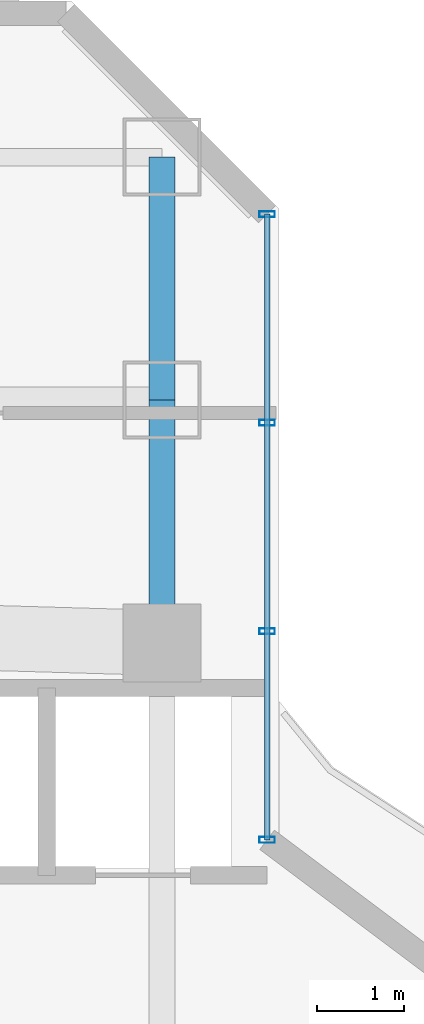
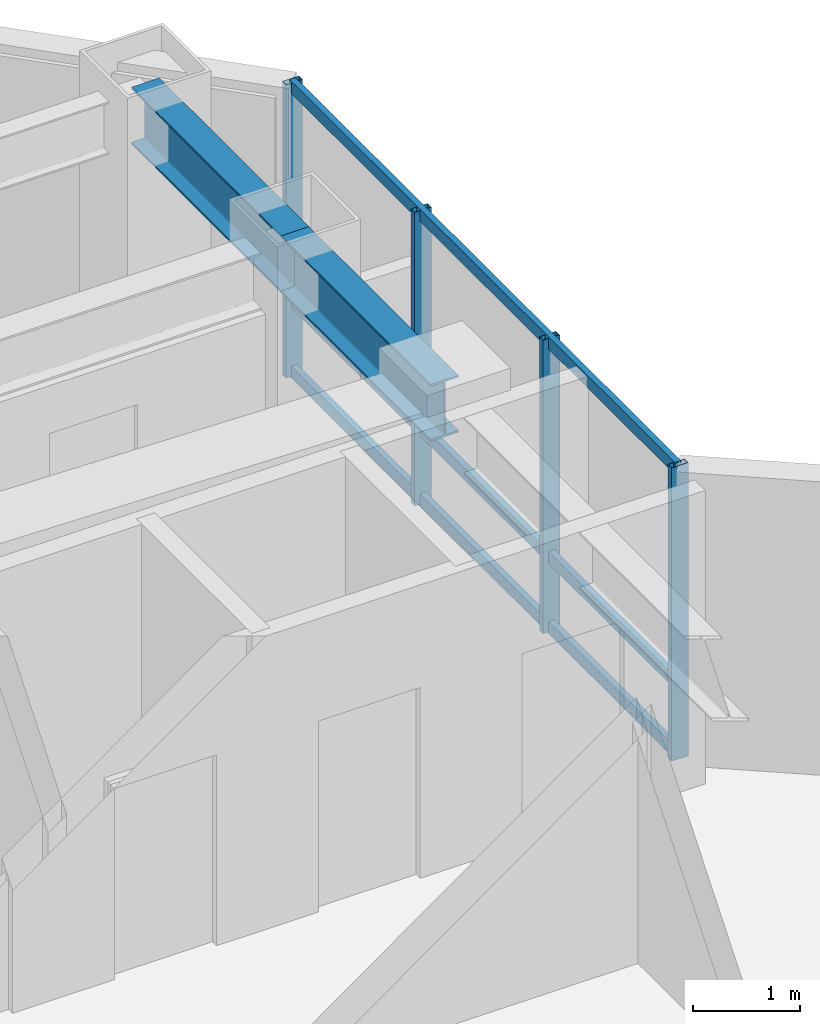
# One storey, part 19 of 31: 7 members, 2 beams, 1 element without a shape of its own.
"""IFC4 building model written with IfcOpenShell, lengths in metres."""

from ifc_helpers import new_model, si_unit, direction, frame, origin, origin_2d, place, context, subcontext, project, spatial, hollow_rectangle, i_section, extrude, material, layer, layer_set, material_profile, profile_set, type_object, element, aggregate, save


model = new_model("IFC4")

# Units and contexts
model_context = context("Model", 3, precision=1e-05, world=origin(), true_north=direction((0.0, 1.0)))
body_context = subcontext(model_context, "Body", "Model", "MODEL_VIEW")
ifc_project = project(units=[si_unit("LENGTHUNIT", "METRE"), si_unit("AREAUNIT", "SQUARE_METRE"), si_unit("VOLUMEUNIT", "CUBIC_METRE"), si_unit("PLANEANGLEUNIT", "RADIAN"), si_unit("MASSUNIT", "GRAM", prefix="KILO")], contexts=[model_context])

# Site, building, storey
site_placement = place(None, origin())
site = spatial("IfcSite", under=ifc_project, at=site_placement, CompositionType="ELEMENT")
building_placement = place(site_placement, origin())
building = spatial("IfcBuilding", under=site, at=building_placement, Name="Hatsunagi Terrace Concourse", CompositionType="ELEMENT")
storey_placement = place(building_placement, frame((0.0, 0.0, 112.050048828125)))
storey = spatial("IfcBuildingStorey", under=building, at=storey_placement, Name="L29", CompositionType="ELEMENT", Elevation=112.050048828125)

# Curtain wall, members
ifc_material_1 = material(Name="Anodised Aluminium Alloy 6063-T5", Category="aluminium")
ifc_layer = layer(ifc_material_1, 0.199951171875)
ifc_layer_set = layer_set([ifc_layer], Name="OfficeZone1_CW03")
curtain_wall_type = type_object("IfcCurtainWallType", Name="OfficeZone1_CW03", PredefinedType="NOTDEFINED", material=ifc_layer_set)
curtain_wall_placement = place(storey_placement, origin())
curtain_wall = element("IfcCurtainWall", 1, at=curtain_wall_placement, inside=storey, type_object=curtain_wall_type, Name="Unitised Curtain Wall CW-03 CW-L29-13", PredefinedType="NOTDEFINED")
ifc_material_2 = material(Name="Anodised Aluminium Alloy 6063-T5", Category="aluminium")
ifc_material_profile_1 = material_profile(ifc_material_2, hollow_rectangle(XDim=0.070068359375, YDim=0.179931640625, WallThickness=0.00390625, at=origin_2d()), Name="ALU-MUL-180x70x4")
ifc_profile_set_1 = profile_set([ifc_material_profile_1], Name="Anodised Aluminium Alloy 6063-T5")
member_type_1 = type_object("IfcMemberType", Name="CurtainWallMullion_180x70", PredefinedType="MULLION", material=ifc_profile_set_1)
member_1_placement = place(storey_placement, frame((44.860107421875, 47.94189453125, 0.0), z_axis=(0.0, 0.0, 1.0), x_axis=(0.0, -1.0, 0.0)))
member_1 = element("IfcMember", 2, at=member_1_placement, type_object=member_type_1, Name="Curtain Wall Mullion MUL-02", PredefinedType="MULLION", context=body_context, shape_type="SweptSolid", body=[
    extrude(hollow_rectangle(XDim=0.070068359375, YDim=0.179931640625, WallThickness=0.00390625, at=origin_2d()), origin(), (0.0, 0.0, 1.0), 3.349853515625),
])
member_2_placement = place(storey_placement, frame((44.860107421875, 45.5380859375, 0.0), z_axis=(0.0, 0.0, 1.0), x_axis=(0.0, -1.0, 0.0)))
member_2 = element("IfcMember", 3, at=member_2_placement, type_object=member_type_1, Name="Curtain Wall Mullion MUL-02", PredefinedType="MULLION", context=body_context, shape_type="SweptSolid", body=[
    extrude(hollow_rectangle(XDim=0.070068359375, YDim=0.179931640625, WallThickness=0.00390625, at=origin_2d()), origin(), (0.0, 0.0, 1.0), 3.349853515625),
])
member_3_placement = place(storey_placement, frame((44.860107421875, 43.134033203125, 0.0), z_axis=(0.0, 0.0, 1.0), x_axis=(0.0, -1.0, 0.0)))
member_3 = element("IfcMember", 4, at=member_3_placement, type_object=member_type_1, Name="Curtain Wall Mullion MUL-02", PredefinedType="MULLION", context=body_context, shape_type="SweptSolid", body=[
    extrude(hollow_rectangle(XDim=0.070068359375, YDim=0.179931640625, WallThickness=0.00390625, at=origin_2d()), origin(), (0.0, 0.0, 1.0), 3.349853515625),
])
member_4_placement = place(storey_placement, frame((44.860107421875, 40.72998046875, 0.0), z_axis=(0.0, 0.0, 1.0), x_axis=(0.0, -1.0, 0.0)))
member_4 = element("IfcMember", 5, at=member_4_placement, type_object=member_type_1, Name="Curtain Wall Mullion MUL-02", PredefinedType="MULLION", context=body_context, shape_type="SweptSolid", body=[
    extrude(hollow_rectangle(XDim=0.070068359375, YDim=0.179931640625, WallThickness=0.00390625, at=origin_2d()), origin(), (0.0, 0.0, 1.0), 3.349853515625),
])
ifc_material_3 = material(Name="Anodised Aluminium Alloy 6063-T5", Category="aluminium")
ifc_material_profile_2 = material_profile(ifc_material_3, hollow_rectangle(XDim=0.06494140625, YDim=0.139892578125, WallThickness=0.00390625, at=origin_2d()), Name="ALU-TRN-140x65x4")
ifc_profile_set_2 = profile_set([ifc_material_profile_2], Name="Anodised Aluminium Alloy 6063-T5")
member_type_2 = type_object("IfcMemberType", Name="CurtainWallTransom_140x65", PredefinedType="USERDEFINED", material=ifc_profile_set_2)
member_5_placement = place(storey_placement, frame((44.860107421875, 47.94189453125, 0.050048828125), z_axis=(0.0, -1.0, 0.0), x_axis=(1.0, 0.0, 0.0)))
member_5 = element("IfcMember", 6, at=member_5_placement, type_object=member_type_2, Name="Curtain Wall Transom TRN-02", ObjectType="TRANSOM", PredefinedType="USERDEFINED", context=body_context, shape_type="SweptSolid", body=[
    extrude(hollow_rectangle(XDim=0.06494140625, YDim=0.139892578125, WallThickness=0.00390625, at=origin_2d()), origin(), (0.0, 0.0, 1.0), 7.2119140625),
])
member_6_placement = place(storey_placement, frame((44.860107421875, 47.94189453125, 0.849853515625), z_axis=(0.0, -1.0, 0.0), x_axis=(1.0, 0.0, 0.0)))
member_6 = element("IfcMember", 7, at=member_6_placement, type_object=member_type_2, Name="Curtain Wall Transom TRN-02", ObjectType="TRANSOM", PredefinedType="USERDEFINED", context=body_context, shape_type="SweptSolid", body=[
    extrude(hollow_rectangle(XDim=0.06494140625, YDim=0.139892578125, WallThickness=0.00390625, at=origin_2d()), origin(), (0.0, 0.0, 1.0), 7.2119140625),
])
member_7_placement = place(storey_placement, frame((44.860107421875, 47.94189453125, 3.300048828125), z_axis=(0.0, -1.0, 0.0), x_axis=(1.0, 0.0, 0.0)))
member_7 = element("IfcMember", 8, at=member_7_placement, type_object=member_type_2, Name="Curtain Wall Transom TRN-02", ObjectType="TRANSOM", PredefinedType="USERDEFINED", context=body_context, shape_type="SweptSolid", body=[
    extrude(hollow_rectangle(XDim=0.06494140625, YDim=0.139892578125, WallThickness=0.00390625, at=origin_2d()), origin(), (0.0, 0.0, 1.0), 7.2119140625),
])
aggregate(curtain_wall, [member_1, member_2, member_3, member_4, member_5, member_6, member_7])

# Beams
ifc_material_4 = material(Name="Steel SN490B", Category="steel")
ifc_material_profile_3 = material_profile(ifc_material_4, i_section(OverallWidth=0.300048828125, OverallDepth=0.64990234375, WebThickness=0.012939453125, FlangeThickness=0.02197265625, FilletRadius=0.01806640625, at=origin_2d()), Name="H-650x300x13x22")
ifc_profile_set_3 = profile_set([ifc_material_profile_3], Name="Steel SN490B")
beam_type = type_object("IfcBeamType", Name="OfficeLowGirder_H_650x300", PredefinedType="BEAM", material=ifc_profile_set_3)
for number, where, z_axis, x_axis, name in (
    (9, (43.64990234375, 43.0, 3.02490234375), (0.0, 1.0, 0.0), (-1.0, 0.0, 0.0), "Beam G-05 BM-L29-CN3"),
    (10, (43.64990234375, 45.800048828125, 3.02490234375), (0.0, 1.0, 0.0), (-1.0, 0.0, 0.0), "Beam G-05 BM-L29-KN-WN6"),
):
    element("IfcBeam", number, at=place(storey_placement, frame(where, z_axis=z_axis, x_axis=x_axis)), inside=storey, type_object=beam_type, Name=name, PredefinedType="BEAM", context=body_context, shape_type="SweptSolid", body=[
        extrude(i_section(OverallWidth=0.300048828125, OverallDepth=0.64990234375, WebThickness=0.012939453125, FlangeThickness=0.02197265625, FilletRadius=0.01806640625, at=origin_2d()), origin(), (0.0, 0.0, 1.0), 2.800048828125),
    ])

save(model, "model.ifc")
